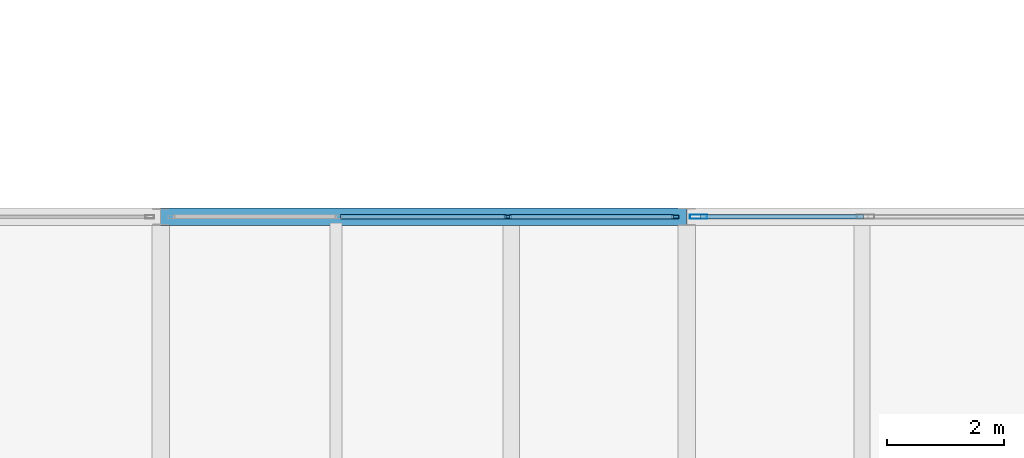
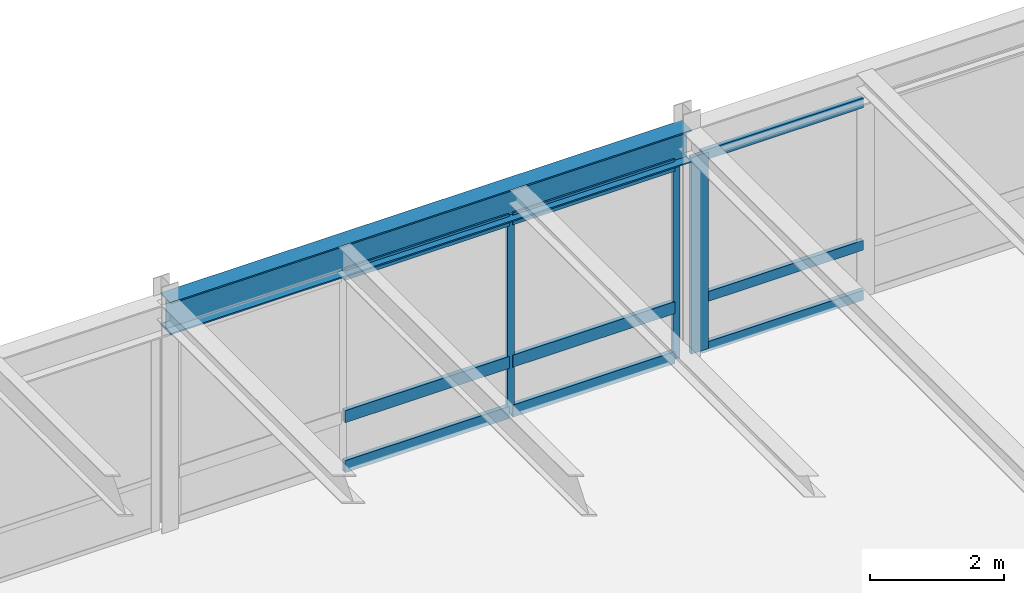
# One storey, part 61 of 127: 12 members, 1 beam, 2 elements without a shape of their own.
"""IFC4 building model written with IfcOpenShell, lengths in metres."""

from ifc_helpers import new_model, si_unit, direction, frame, origin, origin_2d, place, context, subcontext, project, spatial, hollow_rectangle, i_section, extrude, material, layer, layer_set, material_profile, profile_set, type_object, element, aggregate, save


model = new_model("IFC4")

# Units and contexts
model_context = context("Model", 3, precision=1e-05, world=origin(), true_north=direction((0.0, 1.0)))
body_context = subcontext(model_context, "Body", "Model", "MODEL_VIEW")
ifc_project = project(units=[si_unit("LENGTHUNIT", "METRE"), si_unit("AREAUNIT", "SQUARE_METRE"), si_unit("VOLUMEUNIT", "CUBIC_METRE"), si_unit("PLANEANGLEUNIT", "RADIAN"), si_unit("MASSUNIT", "GRAM", prefix="KILO")], contexts=[model_context])

# Site, building, storey
site_placement = place(None, origin())
site = spatial("IfcSite", under=ifc_project, at=site_placement, CompositionType="ELEMENT")
building_placement = place(site_placement, origin())
building = spatial("IfcBuilding", under=site, at=building_placement, Name="Montelvaro Courts of Justice", CompositionType="ELEMENT")
storey_placement = place(building_placement, frame((0.0, 0.0, 5.39990234375)))
storey = spatial("IfcBuildingStorey", under=building, at=storey_placement, Name="L01", CompositionType="ELEMENT", Elevation=5.39990234375)

# Beam
ifc_material_1 = material(Name="Steel S355", Category="steel")
ifc_material_profile_1 = material_profile(ifc_material_1, i_section(OverallWidth=0.300048828125, OverallDepth=0.590087890625, WebThickness=0.012939453125, FlangeThickness=0.02490234375, at=origin_2d()), Name="HEA 600")
ifc_profile_set_1 = profile_set([ifc_material_profile_1], Name="Steel S355")
beam_type = type_object("IfcBeamType", Name="Beam_HEA600", PredefinedType="USERDEFINED", material=ifc_profile_set_1)
beam_placement = place(storey_placement, frame((36.0, 108.0, 3.885009765625), z_axis=(1.0, 0.0, 0.0), x_axis=(0.0, 1.0, 0.0)))
element("IfcBeam", 1, at=beam_placement, inside=storey, type_object=beam_type, Name="Beam B-21 L01", ObjectType="GIRDER", PredefinedType="USERDEFINED", context=body_context, shape_type="SweptSolid", body=[
    extrude(i_section(OverallWidth=0.300048828125, OverallDepth=0.590087890625, WebThickness=0.012939453125, FlangeThickness=0.02490234375, at=origin_2d()), origin(), (0.0, 0.0, 1.0), 9.0),
])

# Curtain wall, members
ifc_material_2 = material(Name="Anodised aluminium EN AW-6063", Category="aluminium")
ifc_layer = layer(ifc_material_2, 0.159912109375)
ifc_layer_set = layer_set([ifc_layer], Name="Anodised aluminium EN AW-6063")
curtain_wall_type = type_object("IfcCurtainWallType", Name="CurtainWall_18_868x418", PredefinedType="USERDEFINED", material=ifc_layer_set)
curtain_wall_1_placement = place(storey_placement, origin())
curtain_wall_1 = element("IfcCurtainWall", 2, at=curtain_wall_1_placement, inside=storey, type_object=curtain_wall_type, Name="Curtain Wall CW-18 (L01)", ObjectType="CURTAIN WALL", PredefinedType="USERDEFINED")
ifc_material_profile_2 = material_profile(ifc_material_2, hollow_rectangle(XDim=0.06005859375, YDim=0.1201171875, WallThickness=0.00341796875, at=origin_2d()), Name="ALU-M 60x120")
ifc_profile_set_2 = profile_set([ifc_material_profile_2], Name="Anodised aluminium EN AW-6063")
member_type_1 = type_object("IfcMemberType", Name="CurtainWall_Mullion_60x120", PredefinedType="MULLION", material=ifc_profile_set_2)
member_1_placement = place(storey_placement, frame((44.804931640625, 108.0, 0.0), z_axis=(0.0, 0.0, 1.0), x_axis=(0.0, -1.0, 0.0)))
member_1 = element("IfcMember", 3, at=member_1_placement, type_object=member_type_1, Name="CW-18 mullion 1", PredefinedType="MULLION", context=body_context, shape_type="SweptSolid", body=[
    extrude(hollow_rectangle(XDim=0.06005859375, YDim=0.1201171875, WallThickness=0.00341796875, at=origin_2d()), origin(), (0.0, 0.0, 1.0), 3.585205078125),
])
member_2_placement = place(storey_placement, frame((41.941650390625, 108.0, 0.0), z_axis=(0.0, 0.0, 1.0), x_axis=(0.0, -1.0, 0.0)))
member_2 = element("IfcMember", 4, at=member_2_placement, type_object=member_type_1, Name="CW-18 mullion 2", PredefinedType="MULLION", context=body_context, shape_type="SweptSolid", body=[
    extrude(hollow_rectangle(XDim=0.06005859375, YDim=0.1201171875, WallThickness=0.00341796875, at=origin_2d()), origin(), (0.0, 0.0, 1.0), 3.585205078125),
])

curtain_wall_2_placement = place(storey_placement, origin())
curtain_wall_2 = element("IfcCurtainWall", 5, at=curtain_wall_2_placement, inside=storey, type_object=curtain_wall_type, Name="Curtain Wall CW-18 (L01)", ObjectType="CURTAIN WALL", PredefinedType="USERDEFINED")
ifc_material_profile_3 = material_profile(ifc_material_2, hollow_rectangle(XDim=0.074951171875, YDim=0.300048828125, WallThickness=0.006103515625, at=origin_2d()), Name="ALU-M 75x300")
ifc_profile_set_3 = profile_set([ifc_material_profile_3], Name="Anodised aluminium EN AW-6063")
member_type_2 = type_object("IfcMemberType", Name="CurtainWall_Mullion_75x300", PredefinedType="MULLION", material=ifc_profile_set_3)
member_3_placement = place(storey_placement, frame((45.202392578125, 108.0, 0.0), z_axis=(0.0, 0.0, 1.0), x_axis=(0.0, -1.0, 0.0)))
member_3 = element("IfcMember", 6, at=member_3_placement, type_object=member_type_2, Name="CW-18 mullion 4", PredefinedType="MULLION", context=body_context, shape_type="SweptSolid", body=[
    extrude(hollow_rectangle(XDim=0.074951171875, YDim=0.300048828125, WallThickness=0.006103515625, at=origin_2d()), origin(), (0.0, 0.0, 1.0), 3.585205078125),
])
ifc_material_profile_4 = material_profile(ifc_material_2, hollow_rectangle(XDim=0.074951171875, YDim=0.179931640625, WallThickness=0.0048828125, at=origin_2d()), Name="ALU-T 75x180")
ifc_profile_set_4 = profile_set([ifc_material_profile_4], Name="Anodised aluminium EN AW-6063")
member_type_3 = type_object("IfcMemberType", Name="CurtainWall_Transom_75x180", PredefinedType="USERDEFINED", material=ifc_profile_set_4)
member_4_placement = place(storey_placement, frame((48.024169921875, 108.0, 0.03759765625), z_axis=(-1.0, 0.0, 0.0), x_axis=(0.0, -1.0, 0.0)))
member_4 = element("IfcMember", 7, at=member_4_placement, type_object=member_type_3, Name="CW-18 transom 3.1", ObjectType="TRANSOM", PredefinedType="USERDEFINED", context=body_context, shape_type="SweptSolid", body=[
    extrude(hollow_rectangle(XDim=0.074951171875, YDim=0.179931640625, WallThickness=0.0048828125, at=origin_2d()), origin(), (0.0, 0.0, 1.0), 2.7841796875),
])
member_5_placement = place(storey_placement, frame((48.024169921875, 108.0, 0.9501953125), z_axis=(-1.0, 0.0, 0.0), x_axis=(0.0, -1.0, 0.0)))
member_5 = element("IfcMember", 8, at=member_5_placement, type_object=member_type_3, Name="CW-18 transom 3.2", ObjectType="TRANSOM", PredefinedType="USERDEFINED", context=body_context, shape_type="SweptSolid", body=[
    extrude(hollow_rectangle(XDim=0.074951171875, YDim=0.179931640625, WallThickness=0.0048828125, at=origin_2d()), origin(), (0.0, 0.0, 1.0), 2.7841796875),
])
member_6_placement = place(storey_placement, frame((48.024169921875, 108.0, 3.547607421875), z_axis=(-1.0, 0.0, 0.0), x_axis=(0.0, -1.0, 0.0)))
member_6 = element("IfcMember", 9, at=member_6_placement, type_object=member_type_3, Name="CW-18 transom 3.3", ObjectType="TRANSOM", PredefinedType="USERDEFINED", context=body_context, shape_type="SweptSolid", body=[
    extrude(hollow_rectangle(XDim=0.074951171875, YDim=0.179931640625, WallThickness=0.0048828125, at=origin_2d()), origin(), (0.0, 0.0, 1.0), 2.7841796875),
])
aggregate(curtain_wall_2, [member_3, member_4, member_5, member_6])

# Member
ifc_material_profile_5 = material_profile(ifc_material_2, hollow_rectangle(XDim=0.074951171875, YDim=0.219970703125, WallThickness=0.005615234375, at=origin_2d()), Name="ALU-T 75x220")
ifc_profile_set_5 = profile_set([ifc_material_profile_5], Name="Anodised aluminium EN AW-6063")
member_type_4 = type_object("IfcMemberType", Name="CurtainWall_Transom_75x220", PredefinedType="USERDEFINED", material=ifc_profile_set_5)
member_7_placement = place(storey_placement, frame((44.77490234375, 108.0, 0.03759765625), z_axis=(-1.0, 0.0, 0.0), x_axis=(0.0, -1.0, 0.0)))
member_7 = element("IfcMember", 10, at=member_7_placement, type_object=member_type_4, Name="CW-18 transom 1.1", ObjectType="TRANSOM", PredefinedType="USERDEFINED", context=body_context, shape_type="SweptSolid", body=[
    extrude(hollow_rectangle(XDim=0.074951171875, YDim=0.219970703125, WallThickness=0.005615234375, at=origin_2d()), origin(), (0.0, 0.0, 1.0), 2.80322265625),
])

member_8_placement = place(storey_placement, frame((44.77490234375, 108.0, 0.9501953125), z_axis=(-1.0, 0.0, 0.0), x_axis=(0.0, -1.0, 0.0)))
member_8 = element("IfcMember", 11, at=member_8_placement, type_object=member_type_4, Name="CW-18 transom 1.2", ObjectType="TRANSOM", PredefinedType="USERDEFINED", context=body_context, shape_type="SweptSolid", body=[
    extrude(hollow_rectangle(XDim=0.074951171875, YDim=0.219970703125, WallThickness=0.005615234375, at=origin_2d()), origin(), (0.0, 0.0, 1.0), 2.80322265625),
])

member_9_placement = place(storey_placement, frame((44.77490234375, 108.0, 3.547607421875), z_axis=(-1.0, 0.0, 0.0), x_axis=(0.0, -1.0, 0.0)))
member_9 = element("IfcMember", 12, at=member_9_placement, type_object=member_type_4, Name="CW-18 transom 1.3", ObjectType="TRANSOM", PredefinedType="USERDEFINED", context=body_context, shape_type="SweptSolid", body=[
    extrude(hollow_rectangle(XDim=0.074951171875, YDim=0.219970703125, WallThickness=0.005615234375, at=origin_2d()), origin(), (0.0, 0.0, 1.0), 2.80322265625),
])

member_10_placement = place(storey_placement, frame((41.91162109375, 108.0, 0.03759765625), z_axis=(-1.0, 0.0, 0.0), x_axis=(0.0, -1.0, 0.0)))
member_10 = element("IfcMember", 13, at=member_10_placement, type_object=member_type_4, Name="CW-18 transom 2.1", ObjectType="TRANSOM", PredefinedType="USERDEFINED", context=body_context, shape_type="SweptSolid", body=[
    extrude(hollow_rectangle(XDim=0.074951171875, YDim=0.219970703125, WallThickness=0.005615234375, at=origin_2d()), origin(), (0.0, 0.0, 1.0), 2.833251953125),
])

member_11_placement = place(storey_placement, frame((41.91162109375, 108.0, 0.9501953125), z_axis=(-1.0, 0.0, 0.0), x_axis=(0.0, -1.0, 0.0)))
member_11 = element("IfcMember", 14, at=member_11_placement, type_object=member_type_4, Name="CW-18 transom 2.2", ObjectType="TRANSOM", PredefinedType="USERDEFINED", context=body_context, shape_type="SweptSolid", body=[
    extrude(hollow_rectangle(XDim=0.074951171875, YDim=0.219970703125, WallThickness=0.005615234375, at=origin_2d()), origin(), (0.0, 0.0, 1.0), 2.833251953125),
])

member_12_placement = place(storey_placement, frame((41.91162109375, 108.0, 3.547607421875), z_axis=(-1.0, 0.0, 0.0), x_axis=(0.0, -1.0, 0.0)))
member_12 = element("IfcMember", 15, at=member_12_placement, type_object=member_type_4, Name="CW-18 transom 2.3", ObjectType="TRANSOM", PredefinedType="USERDEFINED", context=body_context, shape_type="SweptSolid", body=[
    extrude(hollow_rectangle(XDim=0.074951171875, YDim=0.219970703125, WallThickness=0.005615234375, at=origin_2d()), origin(), (0.0, 0.0, 1.0), 2.833251953125),
])

aggregate(curtain_wall_1, [member_1, member_2, member_7, member_8, member_9, member_10, member_11, member_12])

save(model, "model.ifc")
